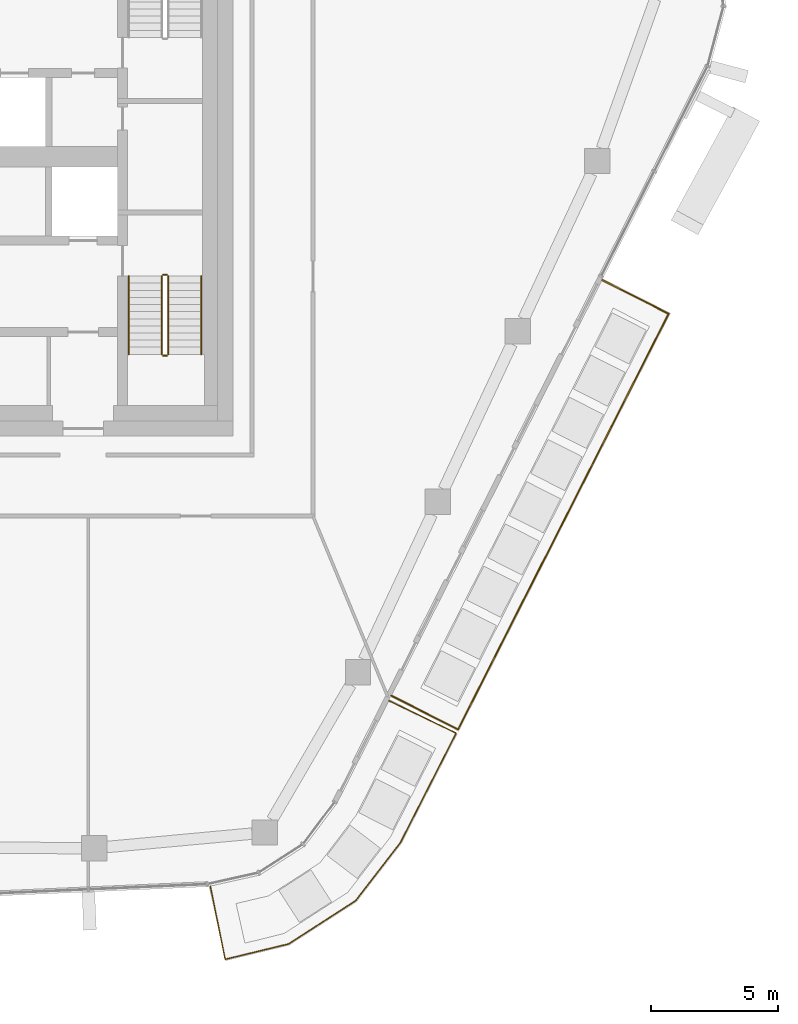
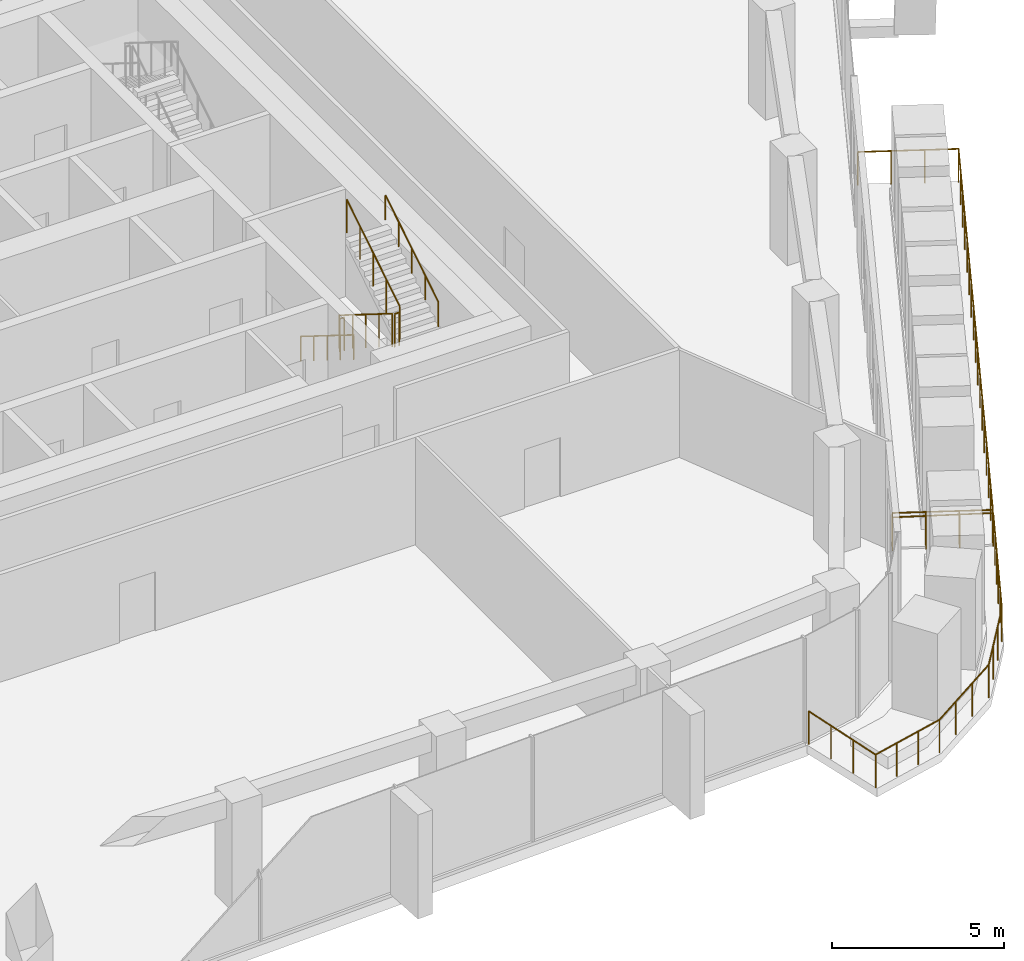
# One storey, part 19 of 23: 8 railings.
"""IFC4 building model written with IfcOpenShell, lengths in metres."""

from ifc_helpers import new_model, si_unit, direction, frame, origin, origin_2d, place, context, subcontext, project, spatial, circle, extrude, material, type_object, element, save


model = new_model("IFC4")

# Units and contexts
model_context = context("Model", 3, precision=1e-05, world=origin(), true_north=direction((0.0, 1.0)))
body_context = subcontext(model_context, "Body", "Model", "MODEL_VIEW")
ifc_project = project(units=[si_unit("LENGTHUNIT", "METRE"), si_unit("AREAUNIT", "SQUARE_METRE"), si_unit("VOLUMEUNIT", "CUBIC_METRE"), si_unit("PLANEANGLEUNIT", "RADIAN"), si_unit("MASSUNIT", "GRAM", prefix="KILO")], contexts=[model_context])

# Site, building, storey
site_placement = place(None, origin())
site = spatial("IfcSite", under=ifc_project, at=site_placement, CompositionType="ELEMENT")
building_placement = place(site_placement, origin())
building = spatial("IfcBuilding", under=site, at=building_placement, Name="Dongbaek Canopy Tower", CompositionType="ELEMENT")
storey_placement = place(building_placement, frame((0.0, 0.0, 319.39990234375)))
storey = spatial("IfcBuildingStorey", under=building, at=storey_placement, Name="L68", CompositionType="ELEMENT", Elevation=319.39990234375)

# Railings
ifc_material_1 = material(Name="Stainless steel", Category="steel")
railing_type_1 = type_object("IfcRailingType", Name="Balcony balustrade 1200", PredefinedType="BALUSTRADE", material=ifc_material_1)
railing_1_placement = place(storey_placement, frame((20.2412109375, -21.222900390625, 0.0)))
element("IfcRailing", 1, at=railing_1_placement, inside=storey, type_object=railing_type_1, Name="Balcony guard L68 4", PredefinedType="BALUSTRADE", context=body_context, shape_type="SweptSolid", body=[
    extrude(circle(Radius=0.02392578125, at=origin_2d()), frame((0.0, 0.0, 1.17578125), z_axis=(0.892056309914, -0.451924263503, 0.0), x_axis=(0.451924263503, 0.892056309914, 0.0)), (0.0, 0.0, 1.0), 2.93994140625),
    extrude(circle(Radius=0.02392578125, at=origin_2d()), frame((2.62255859375, -1.32861328125, 1.17578125), z_axis=(0.451975662434, 0.892030268863, 0.0), x_axis=(-0.892030268863, 0.451975662434, 0.0)), (0.0, 0.0, 1.0), 18.349853515625),
    extrude(circle(Radius=0.02392578125, at=origin_2d()), frame((10.916259765625, 15.0400390625, 1.17578125), z_axis=(-0.892022830295, 0.451990343074, 0.0), x_axis=(-0.451990343074, -0.892022830295, 0.0)), (0.0, 0.0, 1.0), 2.93994140625),
    extrude(circle(Radius=0.02099609375, at=origin_2d()), origin(), (0.0, 0.0, 1.0), 1.15185546875),
    extrude(circle(Radius=0.02099609375, at=origin_2d()), frame((0.874267578125, -0.44287109375, 0.0)), (0.0, 0.0, 1.0), 1.15185546875),
    extrude(circle(Radius=0.02099609375, at=origin_2d()), frame((1.748291015625, -0.8857421875, 0.0)), (0.0, 0.0, 1.0), 1.15185546875),
    extrude(circle(Radius=0.02099609375, at=origin_2d()), frame((2.62255859375, -1.32861328125, 0.0)), (0.0, 0.0, 1.0), 1.15185546875),
    extrude(circle(Radius=0.02099609375, at=origin_2d()), frame((3.140869140625, -0.3056640625, 0.0)), (0.0, 0.0, 1.0), 1.15185546875),
    extrude(circle(Radius=0.02099609375, at=origin_2d()), frame((3.6591796875, 0.717529296875, 0.0)), (0.0, 0.0, 1.0), 1.15185546875),
    extrude(circle(Radius=0.02099609375, at=origin_2d()), frame((4.177734375, 1.740478515625, 0.0)), (0.0, 0.0, 1.0), 1.15185546875),
    extrude(circle(Radius=0.02099609375, at=origin_2d()), frame((4.696044921875, 2.763671875, 0.0)), (0.0, 0.0, 1.0), 1.15185546875),
    extrude(circle(Radius=0.02099609375, at=origin_2d()), frame((5.21435546875, 3.78662109375, 0.0)), (0.0, 0.0, 1.0), 1.15185546875),
    extrude(circle(Radius=0.02099609375, at=origin_2d()), frame((5.732666015625, 4.8095703125, 0.0)), (0.0, 0.0, 1.0), 1.15185546875),
    extrude(circle(Radius=0.02099609375, at=origin_2d()), frame((6.2509765625, 5.832763671875, 0.0)), (0.0, 0.0, 1.0), 1.15185546875),
    extrude(circle(Radius=0.02099609375, at=origin_2d()), frame((6.76953125, 6.855712890625, 0.0)), (0.0, 0.0, 1.0), 1.15185546875),
    extrude(circle(Radius=0.02099609375, at=origin_2d()), frame((7.287841796875, 7.878662109375, 0.0)), (0.0, 0.0, 1.0), 1.15185546875),
    extrude(circle(Radius=0.02099609375, at=origin_2d()), frame((7.80615234375, 8.90185546875, 0.0)), (0.0, 0.0, 1.0), 1.15185546875),
    extrude(circle(Radius=0.02099609375, at=origin_2d()), frame((8.324462890625, 9.9248046875, 0.0)), (0.0, 0.0, 1.0), 1.15185546875),
    extrude(circle(Radius=0.02099609375, at=origin_2d()), frame((8.8427734375, 10.94775390625, 0.0)), (0.0, 0.0, 1.0), 1.15185546875),
    extrude(circle(Radius=0.02099609375, at=origin_2d()), frame((9.361083984375, 11.970947265625, 0.0)), (0.0, 0.0, 1.0), 1.15185546875),
    extrude(circle(Radius=0.02099609375, at=origin_2d()), frame((9.879638671875, 12.993896484375, 0.0)), (0.0, 0.0, 1.0), 1.15185546875),
    extrude(circle(Radius=0.02099609375, at=origin_2d()), frame((10.39794921875, 14.01708984375, 0.0)), (0.0, 0.0, 1.0), 1.15185546875),
    extrude(circle(Radius=0.02099609375, at=origin_2d()), frame((10.916259765625, 15.0400390625, 0.0)), (0.0, 0.0, 1.0), 1.15185546875),
    extrude(circle(Radius=0.02099609375, at=origin_2d()), frame((10.0419921875, 15.48291015625, 0.0)), (0.0, 0.0, 1.0), 1.15185546875),
    extrude(circle(Radius=0.02099609375, at=origin_2d()), frame((9.16796875, 15.926025390625, 0.0)), (0.0, 0.0, 1.0), 1.15185546875),
    extrude(circle(Radius=0.02099609375, at=origin_2d()), frame((8.293701171875, 16.368896484375, 0.0)), (0.0, 0.0, 1.0), 1.15185546875),
])
railing_2_placement = place(storey_placement, frame((13.10986328125, -28.720703125, 0.0)))
element("IfcRailing", 2, at=railing_2_placement, inside=storey, type_object=railing_type_1, Name="Balcony guard L68 7", PredefinedType="BALUSTRADE", context=body_context, shape_type="SweptSolid", body=[
    extrude(circle(Radius=0.02392578125, at=origin_2d()), frame((0.0, 0.0, 1.17578125), z_axis=(0.198175305389, -0.980166592133, 0.0), x_axis=(0.980166592133, 0.198175305389, 0.0)), (0.0, 0.0, 1.0), 2.940673828125),
    extrude(circle(Radius=0.02392578125, at=origin_2d()), frame((0.582763671875, -2.88232421875, 1.17578125), z_axis=(0.971870520155, 0.23551580001, 0.0), x_axis=(-0.23551580001, 0.971870520155, 0.0)), (0.0, 0.0, 1.0), 2.57177734375),
    extrude(circle(Radius=0.02392578125, at=origin_2d()), frame((3.082275390625, -2.276611328125, 1.17578125), z_axis=(0.840464714491, 0.541866278426, 0.0), x_axis=(-0.541866278426, 0.840464714491, 0.0)), (0.0, 0.0, 1.0), 3.13720703125),
    extrude(circle(Radius=0.02392578125, at=origin_2d()), frame((5.718994140625, -0.57666015625, 1.17578125), z_axis=(0.610914271803, 0.791696755398, 0.0), x_axis=(-0.791696755398, 0.610914271803, 0.0)), (0.0, 0.0, 1.0), 2.880615234375),
    extrude(circle(Radius=0.02392578125, at=origin_2d()), frame((7.478759765625, 1.703857421875, 1.17578125), z_axis=(0.454064484216, 0.890968823345, 0.0), x_axis=(-0.890968823345, 0.454064484216, 0.0)), (0.0, 0.0, 1.0), 4.8515625),
    extrude(circle(Radius=0.02392578125, at=origin_2d()), frame((9.681640625, 6.0263671875, 1.17578125), z_axis=(-0.901083385577, 0.433645860395, 0.0), x_axis=(-0.433645860395, -0.901083385577, 0.0)), (0.0, 0.0, 1.0), 2.9404296875),
    extrude(circle(Radius=0.02099609375, at=origin_2d()), origin(), (0.0, 0.0, 1.0), 1.15185546875),
    extrude(circle(Radius=0.02099609375, at=origin_2d()), frame((0.1943359375, -0.960693359375, 0.0)), (0.0, 0.0, 1.0), 1.15185546875),
    extrude(circle(Radius=0.02099609375, at=origin_2d()), frame((0.388427734375, -1.921630859375, 0.0)), (0.0, 0.0, 1.0), 1.15185546875),
    extrude(circle(Radius=0.02099609375, at=origin_2d()), frame((0.582763671875, -2.88232421875, 0.0)), (0.0, 0.0, 1.0), 1.15185546875),
    extrude(circle(Radius=0.02099609375, at=origin_2d()), frame((1.416015625, -2.680419921875, 0.0)), (0.0, 0.0, 1.0), 1.15185546875),
    extrude(circle(Radius=0.02099609375, at=origin_2d()), frame((2.2490234375, -2.478515625, 0.0)), (0.0, 0.0, 1.0), 1.15185546875),
    extrude(circle(Radius=0.02099609375, at=origin_2d()), frame((3.082275390625, -2.276611328125, 0.0)), (0.0, 0.0, 1.0), 1.15185546875),
    extrude(circle(Radius=0.02099609375, at=origin_2d()), frame((3.961181640625, -1.7099609375, 0.0)), (0.0, 0.0, 1.0), 1.15185546875),
    extrude(circle(Radius=0.02099609375, at=origin_2d()), frame((4.840087890625, -1.143310546875, 0.0)), (0.0, 0.0, 1.0), 1.15185546875),
    extrude(circle(Radius=0.02099609375, at=origin_2d()), frame((5.718994140625, -0.57666015625, 0.0)), (0.0, 0.0, 1.0), 1.15185546875),
    extrude(circle(Radius=0.02099609375, at=origin_2d()), frame((6.3056640625, 0.18359375, 0.0)), (0.0, 0.0, 1.0), 1.15185546875),
    extrude(circle(Radius=0.02099609375, at=origin_2d()), frame((6.89208984375, 0.943603515625, 0.0)), (0.0, 0.0, 1.0), 1.15185546875),
    extrude(circle(Radius=0.02099609375, at=origin_2d()), frame((7.478759765625, 1.703857421875, 0.0)), (0.0, 0.0, 1.0), 1.15185546875),
    extrude(circle(Radius=0.02099609375, at=origin_2d()), frame((7.91943359375, 2.568359375, 0.0)), (0.0, 0.0, 1.0), 1.15185546875),
    extrude(circle(Radius=0.02099609375, at=origin_2d()), frame((8.35986328125, 3.432861328125, 0.0)), (0.0, 0.0, 1.0), 1.15185546875),
    extrude(circle(Radius=0.02099609375, at=origin_2d()), frame((8.800537109375, 4.29736328125, 0.0)), (0.0, 0.0, 1.0), 1.15185546875),
    extrude(circle(Radius=0.02099609375, at=origin_2d()), frame((9.240966796875, 5.161865234375, 0.0)), (0.0, 0.0, 1.0), 1.15185546875),
    extrude(circle(Radius=0.02099609375, at=origin_2d()), frame((9.681640625, 6.0263671875, 0.0)), (0.0, 0.0, 1.0), 1.15185546875),
    extrude(circle(Radius=0.02099609375, at=origin_2d()), frame((8.79833984375, 6.451416015625, 0.0)), (0.0, 0.0, 1.0), 1.15185546875),
    extrude(circle(Radius=0.02099609375, at=origin_2d()), frame((7.915283203125, 6.87646484375, 0.0)), (0.0, 0.0, 1.0), 1.15185546875),
    extrude(circle(Radius=0.02099609375, at=origin_2d()), frame((7.031982421875, 7.301513671875, 0.0)), (0.0, 0.0, 1.0), 1.15185546875),
])
ifc_material_2 = material(Name="Stainless steel tube and balusters", Category="steel")
railing_type_2 = type_object("IfcRailingType", Name="Stair guard 1200", PredefinedType="GUARDRAIL", material=ifc_material_2)
railing_3_placement = place(storey_placement, frame((11.199951171875, -4.699951171875, 0.175048828125)))
element("IfcRailing", 3, at=railing_3_placement, inside=storey, type_object=railing_type_2, Name="L68 ST-B stair guard 1", PredefinedType="GUARDRAIL", context=body_context, shape_type="SweptSolid", body=[
    extrude(circle(Radius=0.02392578125, at=origin_2d()), frame((0.0, 0.0, 1.17578125), z_axis=(0.0, -0.847998304005, 0.529998940003), x_axis=(1.0, 0.0, 0.0)), (0.0, 0.0, 1.0), 3.632080078125),
    extrude(circle(Radius=0.02099609375, at=origin_2d()), origin(), (0.0, 0.0, 1.0), 1.15185546875),
    extrude(circle(Radius=0.02099609375, at=origin_2d()), frame((0.0, -0.77001953125, 0.481201171875)), (0.0, 0.0, 1.0), 1.15185546875),
    extrude(circle(Radius=0.02099609375, at=origin_2d()), frame((0.0, -1.5400390625, 0.96240234375)), (0.0, 0.0, 1.0), 1.15185546875),
    extrude(circle(Radius=0.02099609375, at=origin_2d()), frame((0.0, -2.31005859375, 1.44384765625)), (0.0, 0.0, 1.0), 1.15185546875),
    extrude(circle(Radius=0.02099609375, at=origin_2d()), frame((0.0, -3.080078125, 1.925048828125)), (0.0, 0.0, 1.0), 1.15185546875),
])
railing_4_placement = place(storey_placement, frame((11.25, -7.830078125, 2.10009765625)))
element("IfcRailing", 4, at=railing_4_placement, inside=storey, type_object=railing_type_2, Name="L68 ST-B stair guard 2", PredefinedType="GUARDRAIL", context=body_context, shape_type="SweptSolid", body=[
    extrude(circle(Radius=0.02392578125, at=origin_2d()), frame((0.0, 0.0, 1.17578125), z_axis=(1.0, 0.0, 0.0), x_axis=(0.0, 1.0, 0.0)), (0.0, 0.0, 1.0), 0.14990234375),
    extrude(circle(Radius=0.02099609375, at=origin_2d()), origin(), (0.0, 0.0, 1.0), 1.15185546875),
    extrude(circle(Radius=0.02099609375, at=origin_2d()), frame((0.14990234375, 0.0, 0.0)), (0.0, 0.0, 1.0), 1.15185546875),
])
railing_5_placement = place(storey_placement, frame((11.449951171875, -7.780029296875, 2.275146484375)))
element("IfcRailing", 5, at=railing_5_placement, inside=storey, type_object=railing_type_2, Name="L68 ST-B stair guard 3", PredefinedType="GUARDRAIL", context=body_context, shape_type="SweptSolid", body=[
    extrude(circle(Radius=0.02392578125, at=origin_2d()), frame((0.0, 0.0, 1.17578125), z_axis=(0.0, 0.847998304005, 0.529998940003), x_axis=(-1.0, 0.0, 0.0)), (0.0, 0.0, 1.0), 3.632080078125),
    extrude(circle(Radius=0.02099609375, at=origin_2d()), origin(), (0.0, 0.0, 1.0), 1.15185546875),
    extrude(circle(Radius=0.02099609375, at=origin_2d()), frame((0.0, 0.77001953125, 0.481201171875)), (0.0, 0.0, 1.0), 1.15185546875),
    extrude(circle(Radius=0.02099609375, at=origin_2d()), frame((0.0, 1.5400390625, 0.96240234375)), (0.0, 0.0, 1.0), 1.15185546875),
    extrude(circle(Radius=0.02099609375, at=origin_2d()), frame((0.0, 2.31005859375, 1.44384765625)), (0.0, 0.0, 1.0), 1.15185546875),
    extrude(circle(Radius=0.02099609375, at=origin_2d()), frame((0.0, 3.080078125, 1.925048828125)), (0.0, 0.0, 1.0), 1.15185546875),
])
railing_6_placement = place(storey_placement, frame((11.25, -4.64990234375, 0.0)))
element("IfcRailing", 6, at=railing_6_placement, inside=storey, type_object=railing_type_2, Name="L68 ST-B stair guard 4", PredefinedType="GUARDRAIL", context=body_context, shape_type="SweptSolid", body=[
    extrude(circle(Radius=0.02392578125, at=origin_2d()), frame((0.0, 0.0, 1.17578125), z_axis=(1.0, 0.0, 0.0), x_axis=(0.0, 1.0, 0.0)), (0.0, 0.0, 1.0), 0.14990234375),
    extrude(circle(Radius=0.02099609375, at=origin_2d()), origin(), (0.0, 0.0, 1.0), 1.15185546875),
    extrude(circle(Radius=0.02099609375, at=origin_2d()), frame((0.14990234375, 0.0, 0.0)), (0.0, 0.0, 1.0), 1.15185546875),
])
ifc_material_3 = material(Name="Stainless steel tube", Category="steel")
railing_type_3 = type_object("IfcRailingType", Name="Stair handrail 900", PredefinedType="HANDRAIL", material=ifc_material_3)
railing_7_placement = place(storey_placement, frame((9.89990234375, -4.699951171875, 0.175048828125)))
element("IfcRailing", 7, at=railing_7_placement, inside=storey, type_object=railing_type_3, Name="L68 ST-B stair handrail 1", PredefinedType="HANDRAIL", context=body_context, shape_type="SweptSolid", body=[
    extrude(circle(Radius=0.02392578125, at=origin_2d()), frame((0.0, 0.0, 0.8759765625), z_axis=(0.0, -0.847998304005, 0.529998940003), x_axis=(1.0, 0.0, 0.0)), (0.0, 0.0, 1.0), 3.632080078125),
    extrude(circle(Radius=0.02099609375, at=origin_2d()), origin(), (0.0, 0.0, 1.0), 0.851806640625),
    extrude(circle(Radius=0.02099609375, at=origin_2d()), frame((0.0, -0.77001953125, 0.481201171875)), (0.0, 0.0, 1.0), 0.851806640625),
    extrude(circle(Radius=0.02099609375, at=origin_2d()), frame((0.0, -1.5400390625, 0.96240234375)), (0.0, 0.0, 1.0), 0.851806640625),
    extrude(circle(Radius=0.02099609375, at=origin_2d()), frame((0.0, -2.31005859375, 1.44384765625)), (0.0, 0.0, 1.0), 0.851806640625),
    extrude(circle(Radius=0.02099609375, at=origin_2d()), frame((0.0, -3.080078125, 1.925048828125)), (0.0, 0.0, 1.0), 0.851806640625),
])
railing_8_placement = place(storey_placement, frame((12.75, -7.780029296875, 2.275146484375)))
element("IfcRailing", 8, at=railing_8_placement, inside=storey, type_object=railing_type_3, Name="L68 ST-B stair handrail 2", PredefinedType="HANDRAIL", context=body_context, shape_type="SweptSolid", body=[
    extrude(circle(Radius=0.02392578125, at=origin_2d()), frame((0.0, 0.0, 0.8759765625), z_axis=(0.0, 0.847998304005, 0.529998940003), x_axis=(-1.0, 0.0, 0.0)), (0.0, 0.0, 1.0), 3.632080078125),
    extrude(circle(Radius=0.02099609375, at=origin_2d()), origin(), (0.0, 0.0, 1.0), 0.851806640625),
    extrude(circle(Radius=0.02099609375, at=origin_2d()), frame((0.0, 0.77001953125, 0.481201171875)), (0.0, 0.0, 1.0), 0.851806640625),
    extrude(circle(Radius=0.02099609375, at=origin_2d()), frame((0.0, 1.5400390625, 0.96240234375)), (0.0, 0.0, 1.0), 0.851806640625),
    extrude(circle(Radius=0.02099609375, at=origin_2d()), frame((0.0, 2.31005859375, 1.44384765625)), (0.0, 0.0, 1.0), 0.851806640625),
    extrude(circle(Radius=0.02099609375, at=origin_2d()), frame((0.0, 3.080078125, 1.925048828125)), (0.0, 0.0, 1.0), 0.851806640625),
])

save(model, "model.ifc")
